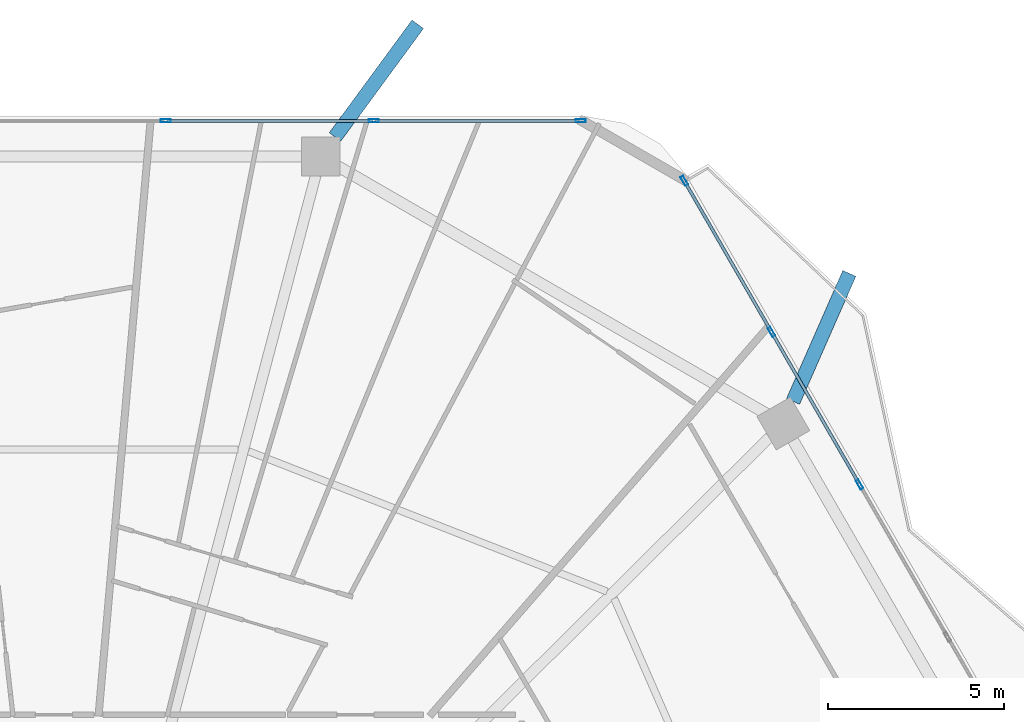
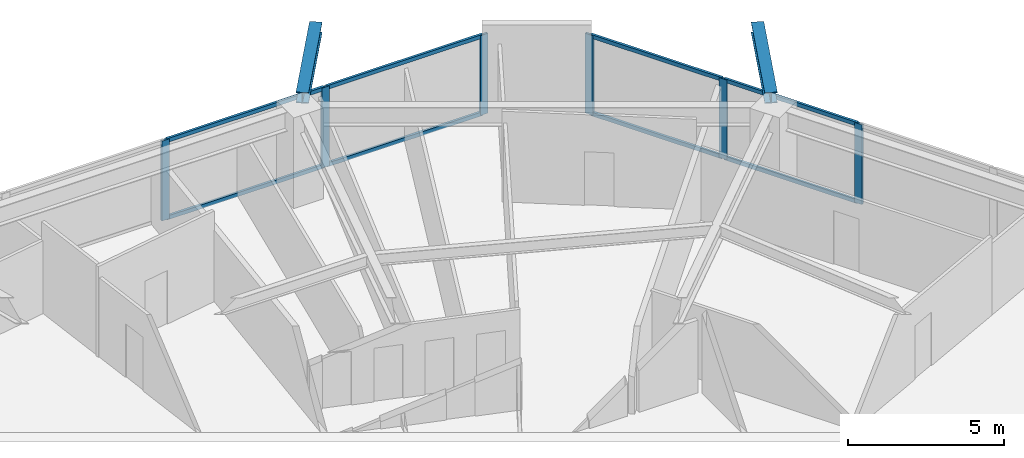
# One storey, part 18 of 29: 14 members, 2 beams, 2 elements without a shape of their own.
"""IFC4 building model written with IfcOpenShell, lengths in metres."""

from ifc_helpers import new_model, si_unit, direction, frame, origin, origin_2d, place, context, subcontext, project, spatial, hollow_rectangle, i_section, extrude, material, material_profile, profile_set, type_object, element, aggregate, save


model = new_model("IFC4")

# Units and contexts
model_context = context("Model", 3, precision=1e-05, world=origin(), true_north=direction((0.0, 1.0)))
body_context = subcontext(model_context, "Body", "Model", "MODEL_VIEW")
ifc_project = project(units=[si_unit("LENGTHUNIT", "METRE"), si_unit("AREAUNIT", "SQUARE_METRE"), si_unit("VOLUMEUNIT", "CUBIC_METRE"), si_unit("PLANEANGLEUNIT", "RADIAN"), si_unit("MASSUNIT", "GRAM", prefix="KILO")], contexts=[model_context])

# Site, building, storey
site_placement = place(None, origin())
site = spatial("IfcSite", under=ifc_project, at=site_placement, CompositionType="ELEMENT")
building_placement = place(site_placement, origin())
building = spatial("IfcBuilding", under=site, at=building_placement, Name="Zuhravey Tower", CompositionType="ELEMENT")
storey_placement = place(building_placement, frame((0.0, 0.0, 134.199951171875)))
storey = spatial("IfcBuildingStorey", under=building, at=storey_placement, Name="L33", CompositionType="ELEMENT", Elevation=134.199951171875)

# Curtain wall, members
ifc_material_1 = material(Name="Thermally broken anodised aluminium", Category="aluminium")
curtain_wall_type = type_object("IfcCurtainWallType", Name="Zone 1-2 Residential Curtain Wall CW3", PredefinedType="NOTDEFINED", material=ifc_material_1)
curtain_wall_1_placement = place(storey_placement, origin())
curtain_wall_1 = element("IfcCurtainWall", 1, at=curtain_wall_1_placement, inside=storey, type_object=curtain_wall_type, Name="L33 CW3 CW-L33-F2-1", PredefinedType="NOTDEFINED")
ifc_material_2 = material(Name="Anodised aluminium", Category="aluminium")
ifc_material_profile_1 = material_profile(ifc_material_2, hollow_rectangle(XDim=0.090087890625, YDim=0.284912109375, WallThickness=0.0048828125, at=origin_2d()), Name="ALU-RHS-90x285x5")
ifc_profile_set_1 = profile_set([ifc_material_profile_1], Name="Anodised aluminium")
member_type_1 = type_object("IfcMemberType", Name="Curtain-Wall Mullion 90x180", PredefinedType="MULLION", material=ifc_profile_set_1)
member_1_placement = place(storey_placement, frame((38.9599609375, 60.95849609375, 0.0), z_axis=(0.0, 0.0, 1.0), x_axis=(0.0, 1.0, 0.0)))
member_1 = element("IfcMember", 2, at=member_1_placement, type_object=member_type_1, Name="CW3 mullion 4", PredefinedType="MULLION", context=body_context, shape_type="SweptSolid", body=[
    extrude(hollow_rectangle(XDim=0.090087890625, YDim=0.284912109375, WallThickness=0.0048828125, at=origin_2d()), origin(), (0.0, 0.0, 1.0), 3.1220703125),
])
member_2_placement = place(storey_placement, frame((44.879638671875, 60.95849609375, 0.0), z_axis=(0.0, 0.0, 1.0), x_axis=(0.0, 1.0, 0.0)))
member_2 = element("IfcMember", 3, at=member_2_placement, type_object=member_type_1, Name="CW3 mullion 5", PredefinedType="MULLION", context=body_context, shape_type="SweptSolid", body=[
    extrude(hollow_rectangle(XDim=0.090087890625, YDim=0.284912109375, WallThickness=0.0048828125, at=origin_2d()), origin(), (0.0, 0.0, 1.0), 3.1220703125),
])
member_3_placement = place(storey_placement, frame((50.75439453125, 60.95849609375, 0.0), z_axis=(0.0, 0.0, 1.0), x_axis=(0.0, 1.0, 0.0)))
member_3 = element("IfcMember", 4, at=member_3_placement, type_object=member_type_1, Name="CW3 mullion 6", PredefinedType="MULLION", context=body_context, shape_type="SweptSolid", body=[
    extrude(hollow_rectangle(XDim=0.090087890625, YDim=0.284912109375, WallThickness=0.0048828125, at=origin_2d()), origin(), (0.0, 0.0, 1.0), 3.1220703125),
])

curtain_wall_2_placement = place(storey_placement, origin())
curtain_wall_2 = element("IfcCurtainWall", 5, at=curtain_wall_2_placement, inside=storey, type_object=curtain_wall_type, Name="L33 CW3 CW-L33-F1-1", PredefinedType="NOTDEFINED")
member_4_placement = place(storey_placement, frame((53.701416015625, 59.257080078125, 0.0), z_axis=(0.0, 0.0, 1.0), x_axis=(0.866026074549, 0.499998838201, 0.0)))
member_4 = element("IfcMember", 6, at=member_4_placement, type_object=member_type_1, Name="CW3 mullion 1", PredefinedType="MULLION", context=body_context, shape_type="SweptSolid", body=[
    extrude(hollow_rectangle(XDim=0.090087890625, YDim=0.284912109375, WallThickness=0.0048828125, at=origin_2d()), origin(), (0.0, 0.0, 1.0), 3.1220703125),
])
member_5_placement = place(storey_placement, frame((56.181884765625, 54.960693359375, 0.0), z_axis=(0.0, 0.0, 1.0), x_axis=(0.866026074549, 0.499998838201, 0.0)))
member_5 = element("IfcMember", 7, at=member_5_placement, type_object=member_type_1, Name="CW3 mullion 2", PredefinedType="MULLION", context=body_context, shape_type="SweptSolid", body=[
    extrude(hollow_rectangle(XDim=0.090087890625, YDim=0.284912109375, WallThickness=0.0048828125, at=origin_2d()), origin(), (0.0, 0.0, 1.0), 3.1220703125),
])
member_6_placement = place(storey_placement, frame((58.684814453125, 50.62548828125, 0.0), z_axis=(0.0, 0.0, 1.0), x_axis=(0.866026074549, 0.499998838201, 0.0)))
member_6 = element("IfcMember", 8, at=member_6_placement, type_object=member_type_1, Name="CW3 mullion 3", PredefinedType="MULLION", context=body_context, shape_type="SweptSolid", body=[
    extrude(hollow_rectangle(XDim=0.090087890625, YDim=0.284912109375, WallThickness=0.0048828125, at=origin_2d()), origin(), (0.0, 0.0, 1.0), 3.1220703125),
])

# Member
ifc_material_profile_2 = material_profile(ifc_material_2, hollow_rectangle(XDim=0.090087890625, YDim=0.14990234375, WallThickness=0.0048828125, at=origin_2d()), Name="ALU-RHS-90x150x5")
ifc_profile_set_2 = profile_set([ifc_material_profile_2], Name="Anodised aluminium")
member_type_2 = type_object("IfcMemberType", Name="Curtain-Wall Transom 90x150", PredefinedType="USERDEFINED", material=ifc_profile_set_2)
member_7_placement = place(storey_placement, frame((39.0048828125, 60.95849609375, 0.045166015625), z_axis=(1.0, 0.0, 0.0), x_axis=(0.0, 1.0, 0.0)))
member_7 = element("IfcMember", 9, at=member_7_placement, type_object=member_type_2, Name="CW3 transom 4.1", ObjectType="TRANSOM", PredefinedType="USERDEFINED", context=body_context, shape_type="SweptSolid", body=[
    extrude(hollow_rectangle(XDim=0.090087890625, YDim=0.14990234375, WallThickness=0.0048828125, at=origin_2d()), origin(), (0.0, 0.0, 1.0), 5.829833984375),
])

member_8_placement = place(storey_placement, frame((39.0048828125, 60.95849609375, 3.0771484375), z_axis=(1.0, 0.0, 0.0), x_axis=(0.0, 1.0, 0.0)))
member_8 = element("IfcMember", 10, at=member_8_placement, type_object=member_type_2, Name="CW3 transom 4.2", ObjectType="TRANSOM", PredefinedType="USERDEFINED", context=body_context, shape_type="SweptSolid", body=[
    extrude(hollow_rectangle(XDim=0.090087890625, YDim=0.14990234375, WallThickness=0.0048828125, at=origin_2d()), origin(), (0.0, 0.0, 1.0), 5.829833984375),
])

member_9_placement = place(storey_placement, frame((44.9248046875, 60.95849609375, 0.045166015625), z_axis=(1.0, 0.0, 0.0), x_axis=(0.0, 1.0, 0.0)))
member_9 = element("IfcMember", 11, at=member_9_placement, type_object=member_type_2, Name="CW3 transom 5.1", ObjectType="TRANSOM", PredefinedType="USERDEFINED", context=body_context, shape_type="SweptSolid", body=[
    extrude(hollow_rectangle(XDim=0.090087890625, YDim=0.14990234375, WallThickness=0.0048828125, at=origin_2d()), origin(), (0.0, 0.0, 1.0), 5.78466796875),
])

member_10_placement = place(storey_placement, frame((44.9248046875, 60.95849609375, 3.0771484375), z_axis=(1.0, 0.0, 0.0), x_axis=(0.0, 1.0, 0.0)))
member_10 = element("IfcMember", 12, at=member_10_placement, type_object=member_type_2, Name="CW3 transom 5.2", ObjectType="TRANSOM", PredefinedType="USERDEFINED", context=body_context, shape_type="SweptSolid", body=[
    extrude(hollow_rectangle(XDim=0.090087890625, YDim=0.14990234375, WallThickness=0.0048828125, at=origin_2d()), origin(), (0.0, 0.0, 1.0), 5.78466796875),
])

aggregate(curtain_wall_1, [member_1, member_2, member_3, member_7, member_8, member_9, member_10])

member_11_placement = place(storey_placement, frame((53.72412109375, 59.218017578125, 0.045166015625), z_axis=(0.499982784289, -0.866035343052, 0.0), x_axis=(0.866035343052, 0.499982784289, 0.0)))
member_11 = element("IfcMember", 13, at=member_11_placement, type_object=member_type_2, Name="CW3 transom 1.1", ObjectType="TRANSOM", PredefinedType="USERDEFINED", context=body_context, shape_type="SweptSolid", body=[
    extrude(hollow_rectangle(XDim=0.090087890625, YDim=0.14990234375, WallThickness=0.0048828125, at=origin_2d()), origin(), (0.0, 0.0, 1.0), 4.870849609375),
])

member_12_placement = place(storey_placement, frame((53.72412109375, 59.218017578125, 3.0771484375), z_axis=(0.499982784289, -0.866035343052, 0.0), x_axis=(0.866035343052, 0.499982784289, 0.0)))
member_12 = element("IfcMember", 14, at=member_12_placement, type_object=member_type_2, Name="CW3 transom 1.2", ObjectType="TRANSOM", PredefinedType="USERDEFINED", context=body_context, shape_type="SweptSolid", body=[
    extrude(hollow_rectangle(XDim=0.090087890625, YDim=0.14990234375, WallThickness=0.0048828125, at=origin_2d()), origin(), (0.0, 0.0, 1.0), 4.870849609375),
])

member_13_placement = place(storey_placement, frame((56.204345703125, 54.921875, 0.045166015625), z_axis=(0.500006183238, -0.866021833861, 0.0), x_axis=(0.866021833861, 0.500006183238, 0.0)))
member_13 = element("IfcMember", 15, at=member_13_placement, type_object=member_type_2, Name="CW3 transom 2.1", ObjectType="TRANSOM", PredefinedType="USERDEFINED", context=body_context, shape_type="SweptSolid", body=[
    extrude(hollow_rectangle(XDim=0.090087890625, YDim=0.14990234375, WallThickness=0.0048828125, at=origin_2d()), origin(), (0.0, 0.0, 1.0), 4.916015625),
])

member_14_placement = place(storey_placement, frame((56.204345703125, 54.921875, 3.0771484375), z_axis=(0.500006183238, -0.866021833861, 0.0), x_axis=(0.866021833861, 0.500006183238, 0.0)))
member_14 = element("IfcMember", 16, at=member_14_placement, type_object=member_type_2, Name="CW3 transom 2.2", ObjectType="TRANSOM", PredefinedType="USERDEFINED", context=body_context, shape_type="SweptSolid", body=[
    extrude(hollow_rectangle(XDim=0.090087890625, YDim=0.14990234375, WallThickness=0.0048828125, at=origin_2d()), origin(), (0.0, 0.0, 1.0), 4.916015625),
])

aggregate(curtain_wall_2, [member_4, member_5, member_6, member_11, member_12, member_13, member_14])

# Beams
ifc_material_3 = material(Name="Steel SM460", Category="steel")
ifc_material_profile_3 = material_profile(ifc_material_3, i_section(OverallWidth=0.406982421875, OverallDepth=0.427978515625, WebThickness=0.02001953125, FlangeThickness=0.034912109375, at=origin_2d()), Name="H-428x407x20x35")
ifc_profile_set_3 = profile_set([ifc_material_profile_3], Name="Steel SM460")
beam_type = type_object("IfcBeamType", Name="Exoskeleton Node Tie Beam H428x407", PredefinedType="BEAM", material=ifc_profile_set_3)
beam_1_placement = place(storey_placement, frame((56.795166015625, 52.985107421875, 3.3359375), z_axis=(0.402345456296, 0.915487921164, 0.0), x_axis=(-0.915487921164, 0.402345456296, 0.0)))
element("IfcBeam", 17, at=beam_1_placement, inside=storey, type_object=beam_type, Name="L33 Exoskeleton Node Tie NT1-02", PredefinedType="BEAM", context=body_context, shape_type="SweptSolid", body=[
    extrude(i_section(OverallWidth=0.406982421875, OverallDepth=0.427978515625, WebThickness=0.02001953125, FlangeThickness=0.034912109375, at=origin_2d()), origin(), (0.0, 0.0, 1.0), 3.97509765625),
])
beam_2_placement = place(storey_placement, frame((43.776123046875, 60.501708984375, 3.3359375), z_axis=(0.591653859, 0.806192105599, 0.0), x_axis=(-0.806192105599, 0.591653859, 0.0)))
element("IfcBeam", 18, at=beam_2_placement, inside=storey, type_object=beam_type, Name="L33 Exoskeleton Node Tie NT1-03", PredefinedType="BEAM", context=body_context, shape_type="SweptSolid", body=[
    extrude(i_section(OverallWidth=0.406982421875, OverallDepth=0.427978515625, WebThickness=0.02001953125, FlangeThickness=0.034912109375, at=origin_2d()), origin(), (0.0, 0.0, 1.0), 3.974853515625),
])

save(model, "model.ifc")
